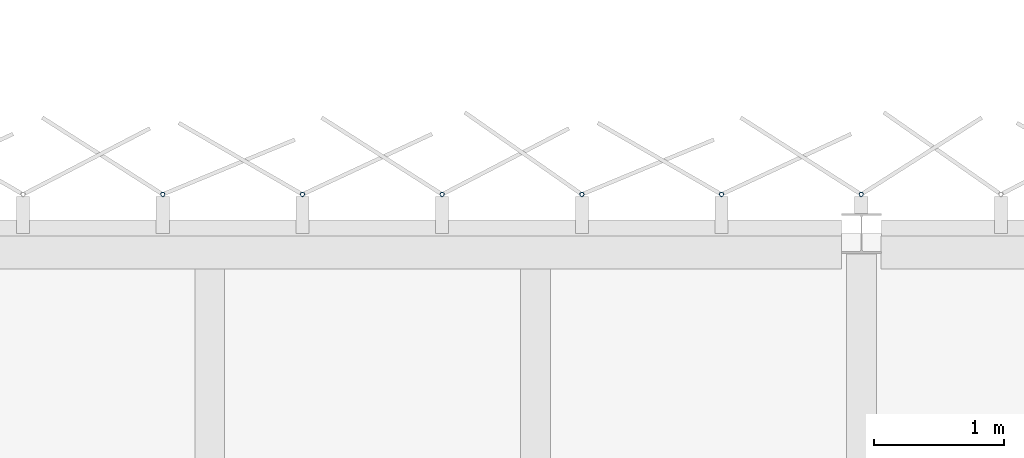
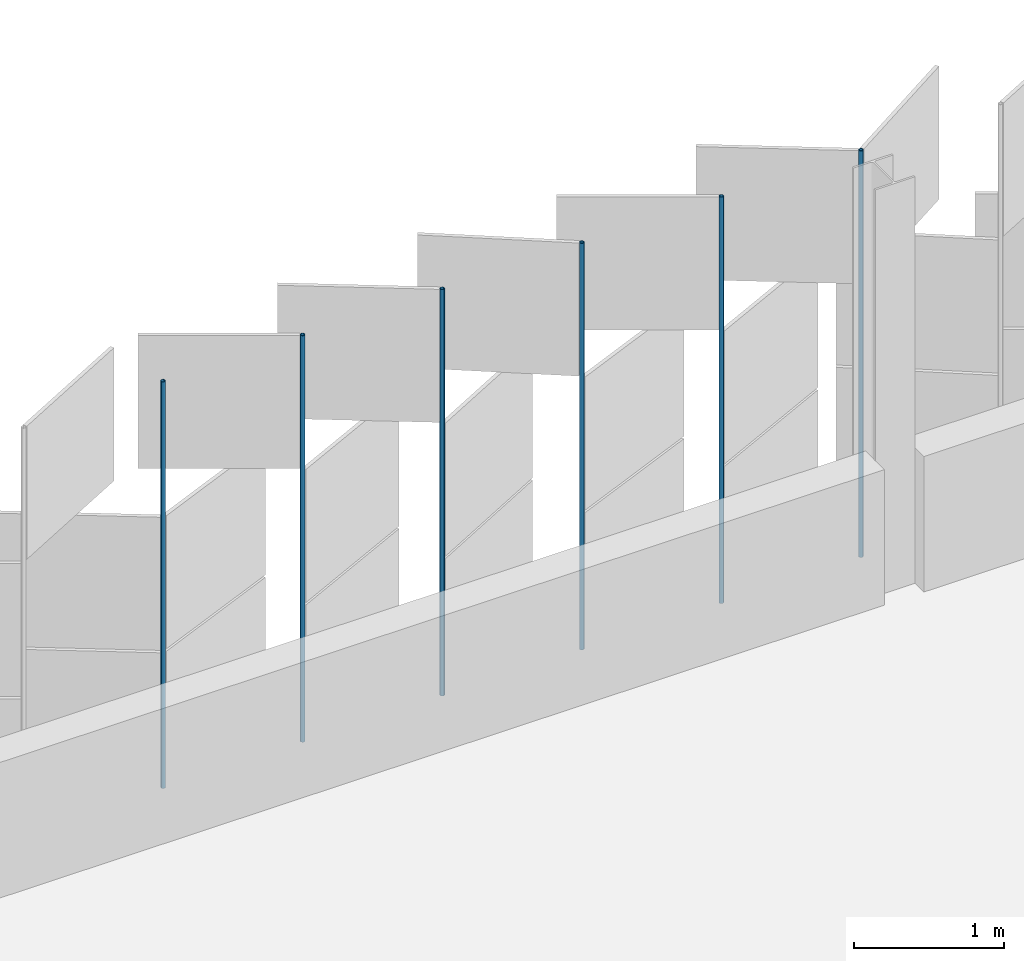
# One storey, part 151 of 198: 6 discrete accessories.
"""IFC4 building model written with IfcOpenShell, lengths in metres."""

from ifc_helpers import new_model, si_unit, direction, frame, origin, origin_2d, place, context, subcontext, project, spatial, hollow_circle, extrude, material, material_profile, profile_set, type_object, element, save


model = new_model("IFC4")

# Units and contexts
model_context = context("Model", 3, precision=1e-05, world=origin(), true_north=direction((0.0, 1.0)))
body_context = subcontext(model_context, "Body", "Model", "MODEL_VIEW")
ifc_project = project(units=[si_unit("LENGTHUNIT", "METRE"), si_unit("AREAUNIT", "SQUARE_METRE"), si_unit("VOLUMEUNIT", "CUBIC_METRE"), si_unit("PLANEANGLEUNIT", "RADIAN"), si_unit("MASSUNIT", "GRAM", prefix="KILO")], contexts=[model_context])

# Site, building, storey
site_placement = place(None, origin())
site = spatial("IfcSite", under=ifc_project, at=site_placement, CompositionType="ELEMENT")
building_placement = place(site_placement, origin())
building = spatial("IfcBuilding", under=site, at=building_placement, Name="Parallax Yard Mobility Hub", CompositionType="ELEMENT")
storey_placement = place(building_placement, frame((0.0, 0.0, 6.60009765625)))
storey = spatial("IfcBuildingStorey", under=building, at=storey_placement, Name="L02", CompositionType="ELEMENT", Elevation=6.60009765625)

# Discrete accessories
ifc_material = material(Name="Steel ASTM A500 Gr C, hot-dip galvanised", Category="steel")
ifc_material_profile = material_profile(ifc_material, hollow_circle(Radius=0.016845703125, WallThickness=0.003173828125, at=origin_2d()), Name="CHS 33.7x3.2")
ifc_profile_set = profile_set([ifc_material_profile], Name="Steel ASTM A500 Gr C, hot-dip galvanised")
discrete_accessory_type = type_object("IfcDiscreteAccessoryType", Name="Hinge post CHS 33.7x3.2", PredefinedType="BRACKET", material=ifc_profile_set)
for number, where, z_axis, x_axis, name in (
    (1, (142.498291015625, 142.800048828125, 0.0), (0.0, 0.0, 1.0), (1.0, 0.0, 0.0), "Hinge post bay 55.1 level L02"),
    (2, (141.4267578125, 142.800048828125, 0.0), (0.0, 0.0, 1.0), (1.0, 0.0, 0.0), "Hinge post bay 55.2 level L02"),
    (3, (140.355224609375, 142.800048828125, 0.0), (0.0, 0.0, 1.0), (1.0, 0.0, 0.0), "Hinge post bay 55.3 level L02"),
    (4, (139.28369140625, 142.800048828125, 0.0), (0.0, 0.0, 1.0), (1.0, 0.0, 0.0), "Hinge post bay 55.4 level L02"),
    (5, (138.212158203125, 142.800048828125, 0.0), (0.0, 0.0, 1.0), (1.0, 0.0, 0.0), "Hinge post bay 55.5 level L02"),
    (6, (137.140380859375, 142.800048828125, 0.0), (0.0, 0.0, 1.0), (1.0, 0.0, 0.0), "Hinge post bay 55.6 level L02"),
):
    element("IfcDiscreteAccessory", number, at=place(storey_placement, frame(where, z_axis=z_axis, x_axis=x_axis)), inside=storey, type_object=discrete_accessory_type, Name=name, PredefinedType="BRACKET", context=body_context, shape_type="SweptSolid", body=[
        extrude(hollow_circle(Radius=0.016845703125, WallThickness=0.003173828125, at=origin_2d()), origin(), (0.0, 0.0, 1.0), 3.2998046875),
    ])

save(model, "model.ifc")
